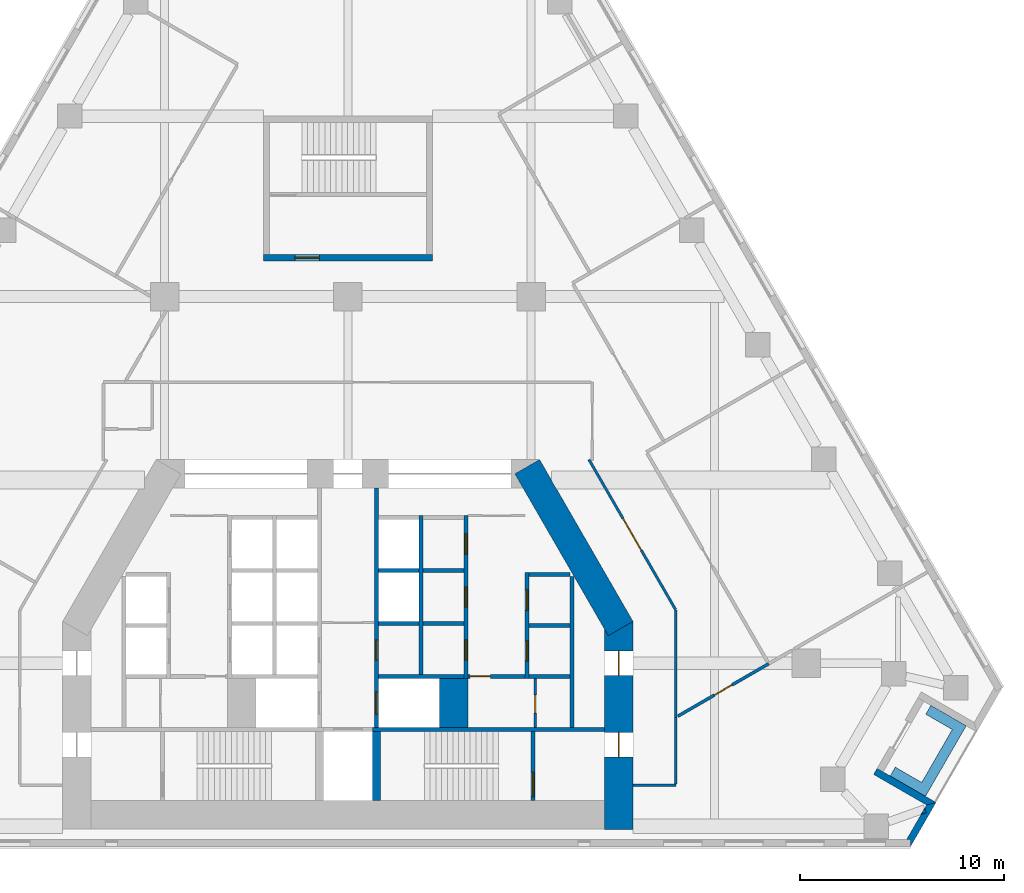
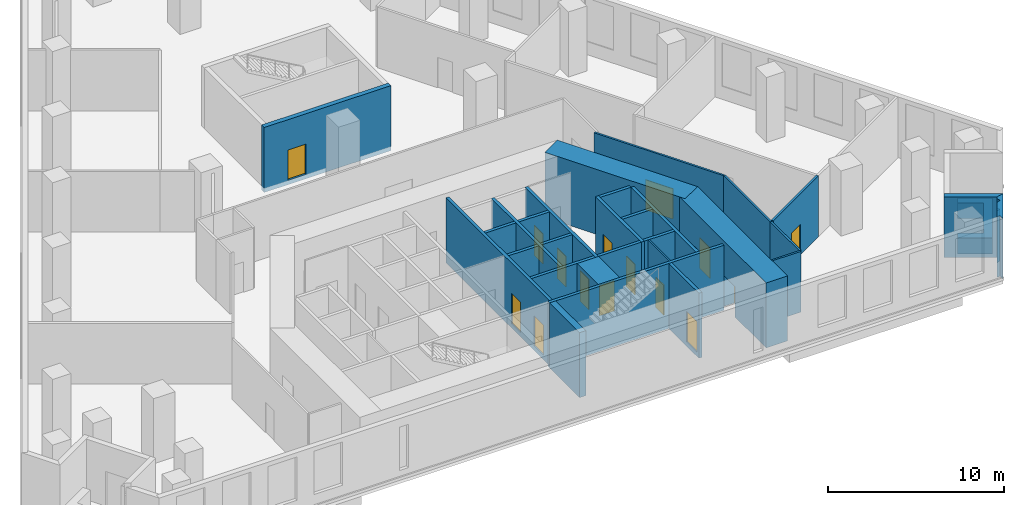
# One storey, part 6 of 10: 31 walls, 15 doors, 15 openings.
"""IFC4 building model written with IfcOpenShell, lengths in metres."""

from ifc_helpers import new_model, si_unit, direction, frame, frame_2d, origin, place, context, subcontext, project, spatial, polyline, rectangle, outline, extrude, material, layer, layer_set, type_object, element, fill, save


model = new_model("IFC4")

# Units and contexts
model_context = context("Model", 3, precision=1e-05, world=origin(), true_north=direction((0.0, 1.0)))
body_context = subcontext(model_context, "Body", "Model", "MODEL_VIEW")
ifc_project = project(units=[si_unit("LENGTHUNIT", "METRE"), si_unit("AREAUNIT", "SQUARE_METRE"), si_unit("VOLUMEUNIT", "CUBIC_METRE"), si_unit("PLANEANGLEUNIT", "RADIAN"), si_unit("MASSUNIT", "GRAM", prefix="KILO")], contexts=[model_context])

# Site, building, storey
site_placement = place(None, origin())
site = spatial("IfcSite", under=ifc_project, at=site_placement, CompositionType="ELEMENT")
building_placement = place(site_placement, origin())
building = spatial("IfcBuilding", under=site, at=building_placement, Name="Fogline Exchange Tower", CompositionType="ELEMENT")
storey_placement = place(building_placement, frame((0.0, 0.0, 43.0)))
storey = spatial("IfcBuildingStorey", under=building, at=storey_placement, Name="L08", CompositionType="ELEMENT", Elevation=43.0)

# Wall, opening, door
ifc_material_1 = material(Name="Blockwork partition", Category="masonry")
ifc_layer_1 = layer(ifc_material_1, 0.10009765625)
ifc_layer_set_1 = layer_set([ifc_layer_1], Name="CW10")
wall_type_1 = type_object("IfcWallType", Name="CW10", PredefinedType="PARTITIONING", material=ifc_layer_set_1)
wall_1_placement = place(storey_placement, frame((9.199951171875, 5.85009765625, 0.0), z_axis=(0.0, 0.0, 1.0), x_axis=(0.0, 1.0, 0.0)))
wall_1 = element("IfcWall", 1, at=wall_1_placement, inside=storey, type_object=wall_type_1, Name="WC partition", PredefinedType="PARTITIONING", context=body_context, shape_type="SweptSolid", body=[
    extrude(rectangle(XDim=2.39990234375, YDim=0.10009765625, at=frame_2d((1.199951171875, 0.0))), origin(), (0.0, 0.0, 1.0), 4.199951171875),
])
opening_1_placement = place(wall_1_placement, frame((0.699951171875, 0.0, 0.0)))
opening_1 = element("IfcOpeningElement", 2, at=opening_1_placement, cuts=wall_1, Name="Opening T02-C015", PredefinedType="OPENING", context=body_context, shape_type="SweptSolid", body=[
    extrude(rectangle(XDim=0.89990234375, YDim=2.10009765625, at=frame_2d((0.449951171875, 1.050048828125))), frame((0.0, 0.06005859375, 0.0), z_axis=(0.0, -1.0, 0.0), x_axis=(1.0, 0.0, 0.0)), (0.0, 0.0, 1.0), 0.1201171875),
])
ifc_material_2 = material(Name="Steel and timber fire door", Category="steel")
door_type_1 = type_object("IfcDoorType", Name="D-CS1", OperationType="SINGLE_SWING_RIGHT", PredefinedType="DOOR", material=ifc_material_2)
door_1_placement = place(opening_1_placement, frame((0.89990234375, 0.0, 0.0), z_axis=(0.0, 0.0, 1.0), x_axis=(-1.0, 0.0, 0.0)))
door_1 = element("IfcDoor", 3, at=door_1_placement, inside=storey, type_object=door_type_1, Name="Door to Cleaner's Store", OperationType="SINGLE_SWING_RIGHT", OverallHeight=2.10009765625, OverallWidth=0.89990234375, PredefinedType="DOOR", context=body_context, shape_type="SweptSolid", body=[
    extrude(rectangle(XDim=0.89990234375, YDim=2.10009765625, at=frame_2d((0.449951171875, 1.050048828125))), frame((0.0, 0.02490234375, 0.0), z_axis=(0.0, -1.0, 0.0), x_axis=(1.0, 0.0, 0.0)), (0.0, 0.0, 1.0), 0.050048828125),
])
fill(opening_1, door_1)

# Walls
ifc_material_3 = material(Name="Concrete C60", Category="concrete")
ifc_layer_2 = layer(ifc_material_3, 1.39990234375)
ifc_layer_set_2 = layer_set([ifc_layer_2], Name="CW140")
wall_type_2 = type_object("IfcWallType", Name="CW140", PredefinedType="SOLIDWALL", material=ifc_layer_set_2)
wall_2_placement = place(storey_placement, frame((5.199951171875, 5.85009765625, -0.300048828125), z_axis=(0.0, 0.0, 1.0), x_axis=(0.0, 1.0, 0.0)))
element("IfcWall", 4, at=wall_2_placement, inside=storey, type_object=wall_type_2, Name="Lift shaft block wall", PredefinedType="SOLIDWALL", context=body_context, shape_type="SweptSolid", body=[
    extrude(rectangle(XDim=2.39990234375, YDim=1.39990234375, at=frame_2d((1.199951171875, 0.0))), origin(), (0.0, 0.0, 1.0), 4.5),
])
ifc_material_4 = material(Name="Concrete C40", Category="concrete")
ifc_layer_3 = layer(ifc_material_4, 0.199951171875)
ifc_layer_set_3 = layer_set([ifc_layer_3], Name="CW20")
wall_type_3 = type_object("IfcWallType", Name="CW20", PredefinedType="SOLIDWALL", material=ifc_layer_set_3)
wall_3_placement = place(storey_placement, frame((11.0, 5.85009765625, 0.0), z_axis=(0.0, 0.0, 1.0), x_axis=(0.0, 1.0, 0.0)))
element("IfcWall", 5, at=wall_3_placement, inside=storey, type_object=wall_type_3, Name="Service room wall", PredefinedType="SOLIDWALL", context=body_context, shape_type="SweptSolid", body=[
    extrude(rectangle(XDim=7.39990234375, YDim=0.199951171875, at=frame_2d((3.699951171875, 0.0))), origin(), (0.0, 0.0, 1.0), 4.199951171875),
])

# Wall, opening, door
wall_4_placement = place(storey_placement, frame((5.89990234375, 8.35009765625, 0.0), z_axis=(0.0, 0.0, 1.0), x_axis=(1.0, 0.0, 0.0)))
wall_4 = element("IfcWall", 6, at=wall_4_placement, inside=storey, type_object=wall_type_3, Name="WC wall", PredefinedType="SOLIDWALL", context=body_context, shape_type="SweptSolid", body=[
    extrude(rectangle(XDim=2.800048828125, YDim=0.199951171875, at=frame_2d((1.39990234375, 0.0))), origin(), (0.0, 0.0, 1.0), 4.199951171875),
])
opening_2_placement = place(wall_4_placement, frame((0.10009765625, 0.0, 0.0)))
opening_2 = element("IfcOpeningElement", 7, at=opening_2_placement, cuts=wall_4, Name="Opening T02-C014", PredefinedType="OPENING", context=body_context, shape_type="SweptSolid", body=[
    extrude(rectangle(XDim=1.0, YDim=2.10009765625, at=frame_2d((0.5, 1.050048828125))), frame((0.0, 0.10986328125, 0.0), z_axis=(0.0, -1.0, 0.0), x_axis=(1.0, 0.0, 0.0)), (0.0, 0.0, 1.0), 0.219970703125),
])
door_type_2 = type_object("IfcDoorType", Name="D-WC1", OperationType="SINGLE_SWING_LEFT", PredefinedType="DOOR", material=ifc_material_2)
door_2_placement = place(opening_2_placement, frame((1.0, 0.0, 0.0), z_axis=(0.0, 0.0, 1.0), x_axis=(-1.0, 0.0, 0.0)))
door_2 = element("IfcDoor", 8, at=door_2_placement, inside=storey, type_object=door_type_2, Name="Door to Women's WC", OperationType="SINGLE_SWING_RIGHT", OverallHeight=2.10009765625, OverallWidth=1.0, PredefinedType="DOOR", context=body_context, shape_type="SweptSolid", body=[
    extrude(rectangle(XDim=1.0, YDim=2.10009765625, at=frame_2d((0.5, 1.050048828125))), frame((0.0, 0.02490234375, 0.0), z_axis=(0.0, -1.0, 0.0), x_axis=(1.0, 0.0, 0.0)), (0.0, 0.0, 1.0), 0.050048828125),
])
fill(opening_2, door_2)

# Wall
ifc_layer_4 = layer(ifc_material_4, 0.199951171875)
ifc_layer_set_4 = layer_set([ifc_layer_4], Name="CW20R")
wall_type_4 = type_object("IfcWallType", Name="CW20R", PredefinedType="SOLIDWALL", material=ifc_layer_set_4)
wall_5_placement = place(storey_placement, frame((1.199951171875, 5.75, -0.300048828125), z_axis=(0.0, 0.0, 1.0), x_axis=(1.0, 0.0, 0.0)))
element("IfcWall", 9, at=wall_5_placement, inside=storey, type_object=wall_type_4, Name="Stair enclosure wall", PredefinedType="SOLIDWALL", context=body_context, shape_type="SweptSolid", body=[
    extrude(rectangle(XDim=11.400146484375, YDim=0.199951171875, at=frame_2d((5.7001953125, 0.0))), origin(), (0.0, 0.0, 1.0), 4.5),
])

# Wall, opening, door
wall_6_placement = place(storey_placement, frame((9.10009765625, 2.25, -0.300048828125), z_axis=(0.0, 0.0, 1.0), x_axis=(0.0, 1.0, 0.0)))
wall_6 = element("IfcWall", 10, at=wall_6_placement, inside=storey, type_object=wall_type_4, Name="Stair enclosure wall", PredefinedType="SOLIDWALL", context=body_context, shape_type="SweptSolid", body=[
    extrude(rectangle(XDim=3.39990234375, YDim=0.199951171875, at=frame_2d((1.699951171875, 0.0))), origin(), (0.0, 0.0, 1.0), 4.5),
])
opening_3_placement = place(wall_6_placement, frame((0.199951171875, 0.0, 0.300048828125)))
opening_3 = element("IfcOpeningElement", 11, at=opening_3_placement, cuts=wall_6, Name="Opening T02-C017", PredefinedType="OPENING", context=body_context, shape_type="SweptSolid", body=[
    extrude(rectangle(XDim=1.199951171875, YDim=2.10009765625, at=frame_2d((0.60009765625, 1.050048828125))), frame((0.0, 0.10986328125, 0.0), z_axis=(0.0, -1.0, 0.0), x_axis=(1.0, 0.0, 0.0)), (0.0, 0.0, 1.0), 0.219970703125),
])
door_type_3 = type_object("IfcDoorType", Name="D-ST1", OperationType="SINGLE_SWING_LEFT", PredefinedType="DOOR", material=ifc_material_2)
door_3_placement = place(opening_3_placement, origin())
door_3 = element("IfcDoor", 12, at=door_3_placement, inside=storey, type_object=door_type_3, Name="Stair door ST2", OperationType="SINGLE_SWING_LEFT", OverallHeight=2.10009765625, OverallWidth=1.199951171875, PredefinedType="DOOR", context=body_context, shape_type="SweptSolid", body=[
    extrude(rectangle(XDim=1.199951171875, YDim=2.10009765625, at=frame_2d((0.60009765625, 1.050048828125))), frame((0.0, 0.02490234375, 0.0), z_axis=(0.0, -1.0, 0.0), x_axis=(1.0, 0.0, 0.0)), (0.0, 0.0, 1.0), 0.050048828125),
])
fill(opening_3, door_3)

# Wall, openings, doors
ifc_layer_5 = layer(ifc_material_4, 0.199951171875)
ifc_layer_set_5 = layer_set([ifc_layer_5], Name="CW20S")
wall_type_5 = type_object("IfcWallType", Name="CW20S", PredefinedType="SOLIDWALL", material=ifc_layer_set_5)
wall_7_placement = place(storey_placement, frame((8.800048828125, 8.25, -0.300048828125), z_axis=(0.0, 0.0, 1.0), x_axis=(0.0, 1.0, 0.0)))
wall_7 = element("IfcWall", 13, at=wall_7_placement, inside=storey, type_object=wall_type_5, Name="Lift shaft wall", PredefinedType="SOLIDWALL", context=body_context, shape_type="SweptSolid", body=[
    extrude(rectangle(XDim=5.199951171875, YDim=0.199951171875, at=frame_2d((2.60009765625, 0.0))), origin(), (0.0, 0.0, 1.0), 4.5),
])
opening_4_placement = place(wall_7_placement, frame((0.85009765625, 0.0, 0.300048828125)))
opening_4 = element("IfcOpeningElement", 14, at=opening_4_placement, cuts=wall_7, Name="Opening T02-C001", PredefinedType="OPENING", context=body_context, shape_type="SweptSolid", body=[
    extrude(rectangle(XDim=1.0, YDim=2.10009765625, at=frame_2d((0.5, 1.050048828125))), frame((0.0, 0.10986328125, 0.0), z_axis=(0.0, -1.0, 0.0), x_axis=(1.0, 0.0, 0.0)), (0.0, 0.0, 1.0), 0.219970703125),
])
opening_5_placement = place(wall_7_placement, frame((3.35009765625, 0.0, 0.300048828125)))
opening_5 = element("IfcOpeningElement", 15, at=opening_5_placement, cuts=wall_7, Name="Opening T02-C002", PredefinedType="OPENING", context=body_context, shape_type="SweptSolid", body=[
    extrude(rectangle(XDim=1.0, YDim=2.10009765625, at=frame_2d((0.5, 1.050048828125))), frame((0.0, 0.10986328125, 0.0), z_axis=(0.0, -1.0, 0.0), x_axis=(1.0, 0.0, 0.0)), (0.0, 0.0, 1.0), 0.219970703125),
])
door_type_4 = type_object("IfcDoorType", Name="D-RM1", OperationType="SINGLE_SWING_LEFT", PredefinedType="DOOR", material=ifc_material_2)
door_4_placement = place(opening_4_placement, frame((1.0, 0.0, 0.0), z_axis=(0.0, 0.0, 1.0), x_axis=(-1.0, 0.0, 0.0)))
door_4 = element("IfcDoor", 16, at=door_4_placement, inside=storey, type_object=door_type_4, Name="Door to Server Room", OperationType="SINGLE_SWING_LEFT", OverallHeight=2.10009765625, OverallWidth=1.0, PredefinedType="DOOR", context=body_context, shape_type="SweptSolid", body=[
    extrude(rectangle(XDim=1.0, YDim=2.10009765625, at=frame_2d((0.5, 1.050048828125))), frame((0.0, 0.02490234375, 0.0), z_axis=(0.0, -1.0, 0.0), x_axis=(1.0, 0.0, 0.0)), (0.0, 0.0, 1.0), 0.050048828125),
])
fill(opening_4, door_4)
door_5_placement = place(opening_5_placement, frame((1.0, 0.0, 0.0), z_axis=(0.0, 0.0, 1.0), x_axis=(-1.0, 0.0, 0.0)))
door_5 = element("IfcDoor", 17, at=door_5_placement, inside=storey, type_object=door_type_4, Name="Door to Archive Store", OperationType="SINGLE_SWING_LEFT", OverallHeight=2.10009765625, OverallWidth=1.0, PredefinedType="DOOR", context=body_context, shape_type="SweptSolid", body=[
    extrude(rectangle(XDim=1.0, YDim=2.10009765625, at=frame_2d((0.5, 1.050048828125))), frame((0.0, 0.02490234375, 0.0), z_axis=(0.0, -1.0, 0.0), x_axis=(1.0, 0.0, 0.0)), (0.0, 0.0, 1.0), 0.050048828125),
])
fill(opening_5, door_5)

wall_8_placement = place(storey_placement, frame((5.800048828125, 8.25, -0.300048828125), z_axis=(0.0, 0.0, 1.0), x_axis=(0.0, 1.0, 0.0)))
wall_8 = element("IfcWall", 18, at=wall_8_placement, inside=storey, type_object=wall_type_5, Name="Lift shaft wall", PredefinedType="SOLIDWALL", context=body_context, shape_type="SweptSolid", body=[
    extrude(rectangle(XDim=8.0, YDim=0.199951171875, at=frame_2d((4.0, 0.0))), origin(), (0.0, 0.0, 1.0), 4.5),
])
opening_6_placement = place(wall_8_placement, frame((0.89990234375, 0.0, 0.300048828125)))
opening_6 = element("IfcOpeningElement", 19, at=opening_6_placement, cuts=wall_8, Name="Opening T02-C003", PredefinedType="OPENING", context=body_context, shape_type="SweptSolid", body=[
    extrude(rectangle(XDim=1.0, YDim=2.10009765625, at=frame_2d((0.5, 1.050048828125))), frame((0.0, 0.10986328125, 0.0), z_axis=(0.0, -1.0, 0.0), x_axis=(1.0, 0.0, 0.0)), (0.0, 0.0, 1.0), 0.219970703125),
])
opening_7_placement = place(wall_8_placement, frame((3.5, 0.0, 0.300048828125)))
opening_7 = element("IfcOpeningElement", 20, at=opening_7_placement, cuts=wall_8, Name="Opening T02-C004", PredefinedType="OPENING", context=body_context, shape_type="SweptSolid", body=[
    extrude(rectangle(XDim=1.0, YDim=2.10009765625, at=frame_2d((0.5, 1.050048828125))), frame((0.0, 0.10986328125, 0.0), z_axis=(0.0, -1.0, 0.0), x_axis=(1.0, 0.0, 0.0)), (0.0, 0.0, 1.0), 0.219970703125),
])
opening_8_placement = place(wall_8_placement, frame((6.10009765625, 0.0, 0.300048828125)))
opening_8 = element("IfcOpeningElement", 21, at=opening_8_placement, cuts=wall_8, Name="Opening T02-C005", PredefinedType="OPENING", context=body_context, shape_type="SweptSolid", body=[
    extrude(rectangle(XDim=1.0, YDim=2.10009765625, at=frame_2d((0.5, 1.050048828125))), frame((0.0, 0.10986328125, 0.0), z_axis=(0.0, -1.0, 0.0), x_axis=(1.0, 0.0, 0.0)), (0.0, 0.0, 1.0), 0.219970703125),
])
door_6_placement = place(opening_6_placement, origin())
door_6 = element("IfcDoor", 22, at=door_6_placement, inside=storey, type_object=door_type_4, Name="Door to Library Store", OperationType="SINGLE_SWING_RIGHT", OverallHeight=2.10009765625, OverallWidth=1.0, PredefinedType="DOOR", context=body_context, shape_type="SweptSolid", body=[
    extrude(rectangle(XDim=1.0, YDim=2.10009765625, at=frame_2d((0.5, 1.050048828125))), frame((0.0, 0.02490234375, 0.0), z_axis=(0.0, -1.0, 0.0), x_axis=(1.0, 0.0, 0.0)), (0.0, 0.0, 1.0), 0.050048828125),
])
fill(opening_6, door_6)
door_7_placement = place(opening_7_placement, origin())
door_7 = element("IfcDoor", 23, at=door_7_placement, inside=storey, type_object=door_type_4, Name="Door to Stationery Store", OperationType="SINGLE_SWING_LEFT", OverallHeight=2.10009765625, OverallWidth=1.0, PredefinedType="DOOR", context=body_context, shape_type="SweptSolid", body=[
    extrude(rectangle(XDim=1.0, YDim=2.10009765625, at=frame_2d((0.5, 1.050048828125))), frame((0.0, 0.02490234375, 0.0), z_axis=(0.0, -1.0, 0.0), x_axis=(1.0, 0.0, 0.0)), (0.0, 0.0, 1.0), 0.050048828125),
])
fill(opening_7, door_7)
door_8_placement = place(opening_8_placement, origin())
door_8 = element("IfcDoor", 24, at=door_8_placement, inside=storey, type_object=door_type_4, Name="Door to Records Store", OperationType="SINGLE_SWING_LEFT", OverallHeight=2.10009765625, OverallWidth=1.0, PredefinedType="DOOR", context=body_context, shape_type="SweptSolid", body=[
    extrude(rectangle(XDim=1.0, YDim=2.10009765625, at=frame_2d((0.5, 1.050048828125))), frame((0.0, 0.02490234375, 0.0), z_axis=(0.0, -1.0, 0.0), x_axis=(1.0, 0.0, 0.0)), (0.0, 0.0, 1.0), 0.050048828125),
])
fill(opening_8, door_8)

# Wall
wall_9_placement = place(storey_placement, frame((3.60009765625, 8.449951171875, -0.300048828125), z_axis=(0.0, 0.0, 1.0), x_axis=(0.0, 1.0, 0.0)))
element("IfcWall", 25, at=wall_9_placement, inside=storey, type_object=wall_type_5, Name="Lift shaft wall", PredefinedType="SOLIDWALL", context=body_context, shape_type="SweptSolid", body=[
    extrude(rectangle(XDim=7.800048828125, YDim=0.199951171875, at=frame_2d((3.89990234375, 0.0))), origin(), (0.0, 0.0, 1.0), 4.5),
])

# Wall, openings, doors
wall_10_placement = place(storey_placement, frame((1.39990234375, 5.85009765625, -0.300048828125), z_axis=(0.0, 0.0, 1.0), x_axis=(0.0, 1.0, 0.0)))
wall_10 = element("IfcWall", 26, at=wall_10_placement, inside=storey, type_object=wall_type_5, Name="Lift lobby wall", PredefinedType="SOLIDWALL", context=body_context, shape_type="SweptSolid", body=[
    extrude(rectangle(XDim=11.75, YDim=0.199951171875, at=frame_2d((5.875, 0.0))), origin(), (0.0, 0.0, 1.0), 4.5),
])
opening_9_placement = place(wall_10_placement, frame((0.64990234375, 0.0, 0.300048828125)))
opening_9 = element("IfcOpeningElement", 27, at=opening_9_placement, cuts=wall_10, Name="Opening T02-LD08", PredefinedType="OPENING", context=body_context, shape_type="SweptSolid", body=[
    extrude(rectangle(XDim=1.10009765625, YDim=2.10009765625, at=frame_2d((0.550048828125, 1.050048828125))), frame((0.0, 0.10986328125, 0.0), z_axis=(0.0, -1.0, 0.0), x_axis=(1.0, 0.0, 0.0)), (0.0, 0.0, 1.0), 0.219970703125),
])
opening_10_placement = place(wall_10_placement, frame((3.300048828125, 0.0, 0.300048828125)))
opening_10 = element("IfcOpeningElement", 28, at=opening_10_placement, cuts=wall_10, Name="Opening T02-C006", PredefinedType="OPENING", context=body_context, shape_type="SweptSolid", body=[
    extrude(rectangle(XDim=1.0, YDim=2.10009765625, at=frame_2d((0.5, 1.050048828125))), frame((0.0, 0.10986328125, 0.0), z_axis=(0.0, -1.0, 0.0), x_axis=(1.0, 0.0, 0.0)), (0.0, 0.0, 1.0), 0.219970703125),
])
door_9_placement = place(opening_10_placement, frame((1.0, 0.0, 0.0), z_axis=(0.0, 0.0, 1.0), x_axis=(-1.0, 0.0, 0.0)))
door_9 = element("IfcDoor", 29, at=door_9_placement, inside=storey, type_object=door_type_4, Name="Door to Riser Room", OperationType="SINGLE_SWING_RIGHT", OverallHeight=2.10009765625, OverallWidth=1.0, PredefinedType="DOOR", context=body_context, shape_type="SweptSolid", body=[
    extrude(rectangle(XDim=1.0, YDim=2.10009765625, at=frame_2d((0.5, 1.050048828125))), frame((0.0, 0.02490234375, 0.0), z_axis=(0.0, -1.0, 0.0), x_axis=(1.0, 0.0, 0.0)), (0.0, 0.0, 1.0), 0.050048828125),
])
fill(opening_10, door_9)
door_type_5 = type_object("IfcDoorType", Name="LD2", OperationType="SLIDING_TO_RIGHT", PredefinedType="DOOR", material=ifc_material_2)
door_10_placement = place(opening_9_placement, origin())
door_10 = element("IfcDoor", 30, at=door_10_placement, inside=storey, type_object=door_type_5, Name="Landing door FF2", OperationType="SLIDING_TO_RIGHT", OverallHeight=2.10009765625, OverallWidth=1.10009765625, PredefinedType="DOOR", context=body_context, shape_type="SweptSolid", body=[
    extrude(rectangle(XDim=1.10009765625, YDim=2.10009765625, at=frame_2d((0.550048828125, 1.050048828125))), frame((0.0, 0.02490234375, 0.0), z_axis=(0.0, -1.0, 0.0), x_axis=(1.0, 0.0, 0.0)), (0.0, 0.0, 1.0), 0.050048828125),
])
fill(opening_9, door_10)

# Walls
wall_11_placement = place(storey_placement, frame((8.89990234375, 8.35009765625, -0.300048828125), z_axis=(0.0, 0.0, 1.0), x_axis=(1.0, 0.0, 0.0)))
element("IfcWall", 31, at=wall_11_placement, inside=storey, type_object=wall_type_5, Name="Lift shaft wall", PredefinedType="SOLIDWALL", context=body_context, shape_type="SweptSolid", body=[
    extrude(rectangle(XDim=2.0, YDim=0.199951171875, at=frame_2d((1.0, 0.0))), origin(), (0.0, 0.0, 1.0), 4.5),
])
wall_12_placement = place(storey_placement, frame((1.5, 8.35009765625, -0.300048828125), z_axis=(0.0, 0.0, 1.0), x_axis=(1.0, 0.0, 0.0)))
element("IfcWall", 32, at=wall_12_placement, inside=storey, type_object=wall_type_5, Name="Lift shaft wall", PredefinedType="SOLIDWALL", context=body_context, shape_type="SweptSolid", body=[
    extrude(rectangle(XDim=4.199951171875, YDim=0.199951171875, at=frame_2d((2.10009765625, 0.0))), origin(), (0.0, 0.0, 1.0), 4.5),
])
for number, where, z_axis, x_axis, name in (
    (33, (8.89990234375, 10.85009765625, -0.300048828125), (0.0, 0.0, 1.0), (1.0, 0.0, 0.0), "Lift shaft wall"),
    (34, (8.89990234375, 13.35009765625, -0.300048828125), (0.0, 0.0, 1.0), (1.0, 0.0, 0.0), "Lift shaft wall"),
    (35, (3.699951171875, 10.949951171875, -0.300048828125), (0.0, 0.0, 1.0), (1.0, 0.0, 0.0), "Lift shaft wall"),
    (36, (3.699951171875, 13.550048828125, -0.300048828125), (0.0, 0.0, 1.0), (1.0, 0.0, 0.0), "Lift shaft wall"),
    (37, (1.5, 10.949951171875, -0.300048828125), (0.0, 0.0, 1.0), (1.0, 0.0, 0.0), "Lift shaft wall"),
    (38, (1.5, 13.550048828125, -0.300048828125), (0.0, 0.0, 1.0), (1.0, 0.0, 0.0), "Lift shaft wall"),
):
    element("IfcWall", number, at=place(storey_placement, frame(where, z_axis=z_axis, x_axis=x_axis)), inside=storey, type_object=wall_type_5, Name=name, PredefinedType="SOLIDWALL", context=body_context, shape_type="SweptSolid", body=[
        extrude(rectangle(XDim=2.0, YDim=0.199951171875, at=frame_2d((1.0, 0.0))), origin(), (0.0, 0.0, 1.0), 4.5),
    ])

# Wall, opening, door
ifc_layer_6 = layer(ifc_material_4, 0.300048828125)
ifc_layer_set_6 = layer_set([ifc_layer_6], Name="CW30")
wall_type_6 = type_object("IfcWallType", Name="CW30", PredefinedType="SOLIDWALL", material=ifc_layer_set_6)
wall_13_placement = place(storey_placement, frame((-4.14990234375, 28.906982421875, -0.300048828125), z_axis=(0.0, 0.0, 1.0), x_axis=(1.0, 0.0, 0.0)))
wall_13 = element("IfcWall", 39, at=wall_13_placement, inside=storey, type_object=wall_type_6, Name="Stair enclosure wall ST3", PredefinedType="SOLIDWALL", context=body_context, shape_type="SweptSolid", body=[
    extrude(rectangle(XDim=8.2998046875, YDim=0.300048828125, at=frame_2d((4.14990234375, 0.0))), origin(), (0.0, 0.0, 1.0), 4.5),
])
opening_11_placement = place(wall_13_placement, frame((1.550048828125, 0.0, 0.300048828125)))
opening_11 = element("IfcOpeningElement", 40, at=opening_11_placement, cuts=wall_13, Name="Opening T02-C023", PredefinedType="OPENING", context=body_context, shape_type="SweptSolid", body=[
    extrude(rectangle(XDim=1.199951171875, YDim=2.10009765625, at=frame_2d((0.60009765625, 1.050048828125))), frame((0.0, 0.16015625, 0.0), z_axis=(0.0, -1.0, 0.0), x_axis=(1.0, 0.0, 0.0)), (0.0, 0.0, 1.0), 0.320068359375),
])
door_type_6 = type_object("IfcDoorType", Name="D-FR1", OperationType="SINGLE_SWING_RIGHT", PredefinedType="DOOR", material=ifc_material_2)
door_11_placement = place(opening_11_placement, origin())
door_11 = element("IfcDoor", 41, at=door_11_placement, inside=storey, type_object=door_type_6, Name="Front room door ST3", OperationType="SINGLE_SWING_LEFT", OverallHeight=2.10009765625, OverallWidth=1.199951171875, PredefinedType="DOOR", context=body_context, shape_type="SweptSolid", body=[
    extrude(rectangle(XDim=1.199951171875, YDim=2.10009765625, at=frame_2d((0.60009765625, 1.050048828125))), frame((0.0, 0.02490234375, 0.0), z_axis=(0.0, -1.0, 0.0), x_axis=(1.0, 0.0, 0.0)), (0.0, 0.0, 1.0), 0.050048828125),
])
fill(opening_11, door_11)

# Walls
ifc_layer_7 = layer(ifc_material_4, 0.39990234375)
ifc_layer_set_7 = layer_set([ifc_layer_7], Name="CW40R")
wall_type_7 = type_object("IfcWallType", Name="CW40R", PredefinedType="SOLIDWALL", material=ifc_layer_set_7)
wall_14_placement = place(storey_placement, frame((1.39990234375, 2.25, -0.300048828125), z_axis=(0.0, 0.0, 1.0), x_axis=(0.0, 1.0, 0.0)))
element("IfcWall", 42, at=wall_14_placement, inside=storey, type_object=wall_type_7, Name="Stair and lift shaft wall", PredefinedType="SOLIDWALL", context=body_context, shape_type="SweptSolid", body=[
    extrude(rectangle(XDim=3.39990234375, YDim=0.39990234375, at=frame_2d((1.699951171875, 0.0))), origin(), (0.0, 0.0, 1.0), 4.5),
])
ifc_material_5 = material(Name="Brick masonry", Category="masonry")
ifc_layer_8 = layer(ifc_material_5, 0.340087890625)
ifc_layer_set_8 = layer_set([ifc_layer_8], Name="FW1")
wall_type_8 = type_object("IfcWallType", Name="FW1", PredefinedType="SOLIDWALL", material=ifc_layer_set_8)
wall_15_placement = place(storey_placement, origin())
element("IfcWall", 43, at=wall_15_placement, inside=storey, type_object=wall_type_8, Name="Brick wall L08 SE-c1", PredefinedType="SOLIDWALL", context=body_context, shape_type="SweptSolid", body=[
    extrude(outline(polyline([(28.3173828125, 1.8759765625), (28.392333984375, 1.666748046875), (28.145751953125, 1.57861328125), (28.3173828125, 1.8759765625)])), origin(), (0.0, 0.0, 1.0), 3.60009765625),
])
wall_16_placement = place(storey_placement, origin())
element("IfcWall", 44, at=wall_16_placement, inside=storey, type_object=wall_type_8, Name="Brick wall L08 SE-c1", PredefinedType="SOLIDWALL", context=body_context, shape_type="SweptSolid", body=[
    extrude(outline(polyline([(27.627685546875, -0.001220703125), (27.626953125, -0.0009765625), (27.626953125, 0.33935546875), (27.43017578125, 0.33935546875), (28.145751953125, 1.57861328125), (28.392333984375, 1.666748046875), (28.3173828125, 1.8759765625), (28.412841796875, 2.041015625), (28.87841796875, 2.166015625), (28.878662109375, 2.165771484375), (27.627685546875, -0.001220703125)])), origin(), (0.0, 0.0, 1.0), 4.199951171875),
])
wall_17_placement = place(storey_placement, origin())
element("IfcWall", 45, at=wall_17_placement, inside=storey, type_object=wall_type_8, Name="Brick wall L08 SE-s1", PredefinedType="SOLIDWALL", context=body_context, shape_type="SweptSolid", body=[
    extrude(outline(polyline([(25.814208984375, 3.540283203125), (25.98486328125, 3.8359375), (26.27978515625, 3.66552734375), (28.87890625, 2.1650390625), (28.878662109375, 2.164794921875), (28.4130859375, 2.0400390625), (25.814208984375, 3.540283203125)])), origin(), (0.0, 0.0, 1.0), 4.199951171875),
])
ifc_material_6 = material(Name="Concrete C30", Category="concrete")
ifc_layer_9 = layer(ifc_material_6, 0.199951171875)
ifc_layer_set_9 = layer_set([ifc_layer_9], Name="PL1")
wall_type_9 = type_object("IfcWallType", Name="PL1", PredefinedType="USERDEFINED", material=ifc_layer_set_9)
wall_18_placement = place(storey_placement, origin())
element("IfcWall", 46, at=wall_18_placement, inside=storey, type_object=wall_type_9, Name="PLANTER balcony L08 SE", ObjectType="PLANTER", PredefinedType="USERDEFINED", context=body_context, shape_type="SweptSolid", body=[
    extrude(outline(polyline([(26.6259765625, 3.465087890625), (27.925048828125, 2.715087890625), (27.925048828125, 2.715087890625), (28.35791015625, 2.465087890625), (30.10791015625, 5.49609375), (30.35791015625, 5.92919921875), (28.6259765625, 6.92919921875), (28.3759765625, 6.49609375), (29.675048828125, 5.74609375), (28.175048828125, 3.148193359375), (26.8759765625, 3.898193359375), (26.6259765625, 3.465087890625)])), origin(), (0.0, 0.0, 1.0), 1.10009765625),
])

# Wall, opening, door
ifc_material_7 = material(Name="Plasterboard corridor partition with mineral wool, 2 layers each side")
ifc_layer_10 = layer(ifc_material_7, 0.125)
ifc_layer_set_10 = layer_set([ifc_layer_10], Name="PW2")
wall_type_10 = type_object("IfcWallType", Name="PW2", PredefinedType="PARTITIONING", material=ifc_layer_set_10)
wall_19_placement = place(storey_placement, frame((11.83642578125, 19.0, 0.0), z_axis=(0.0, 0.0, 1.0), x_axis=(0.499996068715, -0.866027673501, 0.0)))
wall_19 = element("IfcWall", 47, at=wall_19_placement, inside=storey, type_object=wall_type_10, Name="wall-L08-W001", PredefinedType="PARTITIONING", context=body_context, shape_type="SweptSolid", body=[
    extrude(rectangle(XDim=8.49609375, YDim=0.125, at=frame_2d((4.248046875, 0.0))), origin(), (0.0, 0.0, 1.0), 4.199951171875),
])
opening_12_placement = place(wall_19_placement, frame((3.34814453125, 0.0, 0.0)))
opening_12 = element("IfcOpeningElement", 48, at=opening_12_placement, cuts=wall_19, Name="Opening T02-D001", PredefinedType="OPENING", context=body_context, shape_type="SweptSolid", body=[
    extrude(rectangle(XDim=1.800048828125, YDim=2.10009765625, at=frame_2d((0.89990234375, 1.050048828125))), frame((0.0, 0.072509765625, 0.0), z_axis=(0.0, -1.0, 0.0), x_axis=(1.0, 0.0, 0.0)), (0.0, 0.0, 1.0), 0.14501953125),
])
ifc_material_8 = material(Name="Fire-rated timber door leaves with steel frame", Category="steel")
door_type_7 = type_object("IfcDoorType", Name="D4", OperationType="DOUBLE_DOOR_SINGLE_SWING", PredefinedType="DOOR", material=ifc_material_8)
door_12_placement = place(opening_12_placement, frame((1.800048828125, 0.0, 0.0), z_axis=(0.0, 0.0, 1.0), x_axis=(-1.0, 0.0, 0.0)))
door_12 = element("IfcDoor", 49, at=door_12_placement, inside=storey, type_object=door_type_7, Name="door-L08-D001", OperationType="DOUBLE_DOOR_SINGLE_SWING", OverallHeight=2.10009765625, OverallWidth=1.800048828125, PredefinedType="DOOR", context=body_context, shape_type="SweptSolid", body=[
    extrude(rectangle(XDim=1.800048828125, YDim=2.10009765625, at=frame_2d((0.89990234375, 1.050048828125))), frame((0.0, 0.02490234375, 0.0), z_axis=(0.0, -1.0, 0.0), x_axis=(1.0, 0.0, 0.0)), (0.0, 0.0, 1.0), 0.050048828125),
])
fill(opening_12, door_12)

# Walls
wall_20_placement = place(storey_placement, frame((16.10009765625, 11.615234375, 0.0), z_axis=(0.0, 0.0, 1.0), x_axis=(0.0, -1.0, 0.0)))
element("IfcWall", 50, at=wall_20_placement, inside=storey, type_object=wall_type_10, Name="wall-L08-W002", PredefinedType="PARTITIONING", context=body_context, shape_type="SweptSolid", body=[
    extrude(rectangle(XDim=5.27294921875, YDim=0.125, at=frame_2d((2.636474609375, 0.0))), origin(), (0.0, 0.0, 1.0), 4.199951171875),
])
wall_21_placement = place(storey_placement, frame((16.10009765625, 6.34228515625, 0.0), z_axis=(0.0, 0.0, 1.0), x_axis=(0.0, -1.0, 0.0)))
element("IfcWall", 51, at=wall_21_placement, inside=storey, type_object=wall_type_10, Name="wall-L08-W003", PredefinedType="PARTITIONING", context=body_context, shape_type="SweptSolid", body=[
    extrude(rectangle(XDim=3.27978515625, YDim=0.125, at=frame_2d((1.639892578125, 0.0))), origin(), (0.0, 0.0, 1.0), 4.199951171875),
])
wall_22_placement = place(storey_placement, frame((16.10009765625, 3.0, 0.0), z_axis=(0.0, 0.0, 1.0), x_axis=(-1.0, 0.0, 0.0)))
element("IfcWall", 52, at=wall_22_placement, inside=storey, type_object=wall_type_10, Name="wall-L08-W004", PredefinedType="PARTITIONING", context=body_context, shape_type="SweptSolid", body=[
    extrude(rectangle(XDim=2.10009765625, YDim=0.125, at=frame_2d((1.050048828125, 0.0))), origin(), (0.0, 0.0, 1.0), 4.199951171875),
])

# Wall, opening, door
ifc_material_9 = material(Name="Plasterboard demising partition with mineral wool and acoustic board")
ifc_layer_11 = layer(ifc_material_9, 0.14990234375)
ifc_layer_set_11 = layer_set([ifc_layer_11], Name="PW3")
wall_type_11 = type_object("IfcWallType", Name="PW3", PredefinedType="PARTITIONING", material=ifc_layer_set_11)
wall_23_placement = place(storey_placement, frame((20.660888671875, 8.975341796875, 0.0), z_axis=(0.0, 0.0, 1.0), x_axis=(-0.866029291668, -0.499993265928, 0.0)))
wall_23 = element("IfcWall", 53, at=wall_23_placement, inside=storey, type_object=wall_type_11, Name="wall-L08-W036", PredefinedType="PARTITIONING", context=body_context, shape_type="SweptSolid", body=[
    extrude(rectangle(XDim=5.150390625, YDim=0.14990234375, at=frame_2d((2.5751953125, 0.0))), origin(), (0.0, 0.0, 1.0), 4.199951171875),
])
opening_13_placement = place(wall_23_placement, frame((2.0751953125, 0.0, 0.0)))
opening_13 = element("IfcOpeningElement", 54, at=opening_13_placement, cuts=wall_23, Name="Opening T02-D011", PredefinedType="OPENING", context=body_context, shape_type="SweptSolid", body=[
    extrude(rectangle(XDim=1.0, YDim=2.10009765625, at=frame_2d((0.5, 1.050048828125))), frame((0.0, 0.0849609375, 0.0), z_axis=(0.0, -1.0, 0.0), x_axis=(1.0, 0.0, 0.0)), (0.0, 0.0, 1.0), 0.169921875),
])
ifc_material_10 = material(Name="Fire-rated timber door leaf with steel frame", Category="steel")
door_type_8 = type_object("IfcDoorType", Name="D3", OperationType="SINGLE_SWING_LEFT", PredefinedType="DOOR", material=ifc_material_10)
door_13_placement = place(opening_13_placement, origin())
door_13 = element("IfcDoor", 55, at=door_13_placement, inside=storey, type_object=door_type_8, Name="door-L08-D011", OperationType="SINGLE_SWING_LEFT", OverallHeight=2.10009765625, OverallWidth=1.0, PredefinedType="DOOR", context=body_context, shape_type="SweptSolid", body=[
    extrude(rectangle(XDim=1.0, YDim=2.10009765625, at=frame_2d((0.5, 1.050048828125))), frame((0.0, 0.02490234375, 0.0), z_axis=(0.0, -1.0, 0.0), x_axis=(1.0, 0.0, 0.0)), (0.0, 0.0, 1.0), 0.050048828125),
])
fill(opening_13, door_13)

# Wall, openings, doors
ifc_layer_12 = layer(ifc_material_3, 1.39990234375)
ifc_layer_set_12 = layer_set([ifc_layer_12], Name="SW01")
wall_type_12 = type_object("IfcWallType", Name="SW01", PredefinedType="SHEAR", material=ifc_layer_set_12)
wall_24_placement = place(storey_placement, frame((13.300048828125, 0.85009765625, 0.0), z_axis=(0.0, 0.0, 1.0), x_axis=(0.0, 1.0, 0.0)))
wall_24 = element("IfcWall", 56, at=wall_24_placement, inside=storey, type_object=wall_type_12, Name="L08-W902", PredefinedType="SHEAR", context=body_context, shape_type="SweptSolid", body=[
    extrude(rectangle(XDim=10.202392578125, YDim=1.39990234375, at=frame_2d((5.10107421875, 0.0))), origin(), (0.0, 0.0, 1.0), 4.5),
])
opening_14_placement = place(wall_24_placement, frame((3.550048828125, 0.0, 0.0)))
opening_14 = element("IfcOpeningElement", 57, at=opening_14_placement, cuts=wall_24, Name="Opening T02-C016", PredefinedType="OPENING", context=body_context, shape_type="SweptSolid", body=[
    extrude(rectangle(XDim=1.199951171875, YDim=2.10009765625, at=frame_2d((0.60009765625, 1.050048828125))), frame((0.0, 0.7099609375, 0.0), z_axis=(0.0, -1.0, 0.0), x_axis=(1.0, 0.0, 0.0)), (0.0, 0.0, 1.0), 1.419921875),
])
opening_15_placement = place(wall_24_placement, frame((7.550048828125, 0.0, 0.0)))
opening_15 = element("IfcOpeningElement", 58, at=opening_15_placement, cuts=wall_24, Name="Opening T02-C018", PredefinedType="OPENING", context=body_context, shape_type="SweptSolid", body=[
    extrude(rectangle(XDim=1.199951171875, YDim=2.10009765625, at=frame_2d((0.60009765625, 1.050048828125))), frame((0.0, 0.7099609375, 0.0), z_axis=(0.0, -1.0, 0.0), x_axis=(1.0, 0.0, 0.0)), (0.0, 0.0, 1.0), 1.419921875),
])
door_14_placement = place(opening_14_placement, origin())
door_14 = element("IfcDoor", 59, at=door_14_placement, inside=storey, type_object=door_type_6, Name="Front room door ST2", OperationType="SINGLE_SWING_RIGHT", OverallHeight=2.10009765625, OverallWidth=1.199951171875, PredefinedType="DOOR", context=body_context, shape_type="SweptSolid", body=[
    extrude(rectangle(XDim=1.199951171875, YDim=2.10009765625, at=frame_2d((0.60009765625, 1.050048828125))), frame((0.0, 0.02490234375, 0.0), z_axis=(0.0, -1.0, 0.0), x_axis=(1.0, 0.0, 0.0)), (0.0, 0.0, 1.0), 0.050048828125),
])
fill(opening_14, door_14)
door_type_9 = type_object("IfcDoorType", Name="D-SV1", OperationType="SINGLE_SWING_LEFT", PredefinedType="DOOR", material=ifc_material_2)
door_15_placement = place(opening_15_placement, origin())
door_15 = element("IfcDoor", 60, at=door_15_placement, inside=storey, type_object=door_type_9, Name="Service door E", OperationType="SINGLE_SWING_RIGHT", OverallHeight=2.10009765625, OverallWidth=1.199951171875, PredefinedType="DOOR", context=body_context, shape_type="SweptSolid", body=[
    extrude(rectangle(XDim=1.199951171875, YDim=2.10009765625, at=frame_2d((0.60009765625, 1.050048828125))), frame((0.0, 0.02490234375, 0.0), z_axis=(0.0, -1.0, 0.0), x_axis=(1.0, 0.0, 0.0)), (0.0, 0.0, 1.0), 0.050048828125),
])
fill(opening_15, door_15)

# Wall
wall_25_placement = place(storey_placement, frame((13.393798828125, 10.70263671875, 0.0), z_axis=(0.0, 0.0, 1.0), x_axis=(-0.50000187635, 0.866024320471, 0.0)))
element("IfcWall", 61, at=wall_25_placement, inside=storey, type_object=wall_type_12, Name="L08-W903", PredefinedType="SHEAR", context=body_context, shape_type="SweptSolid", body=[
    extrude(rectangle(XDim=9.1767578125, YDim=1.39990234375, at=frame_2d((4.58837890625, 0.0))), origin(), (0.0, 0.0, 1.0), 4.5),
])

save(model, "model.ifc")
